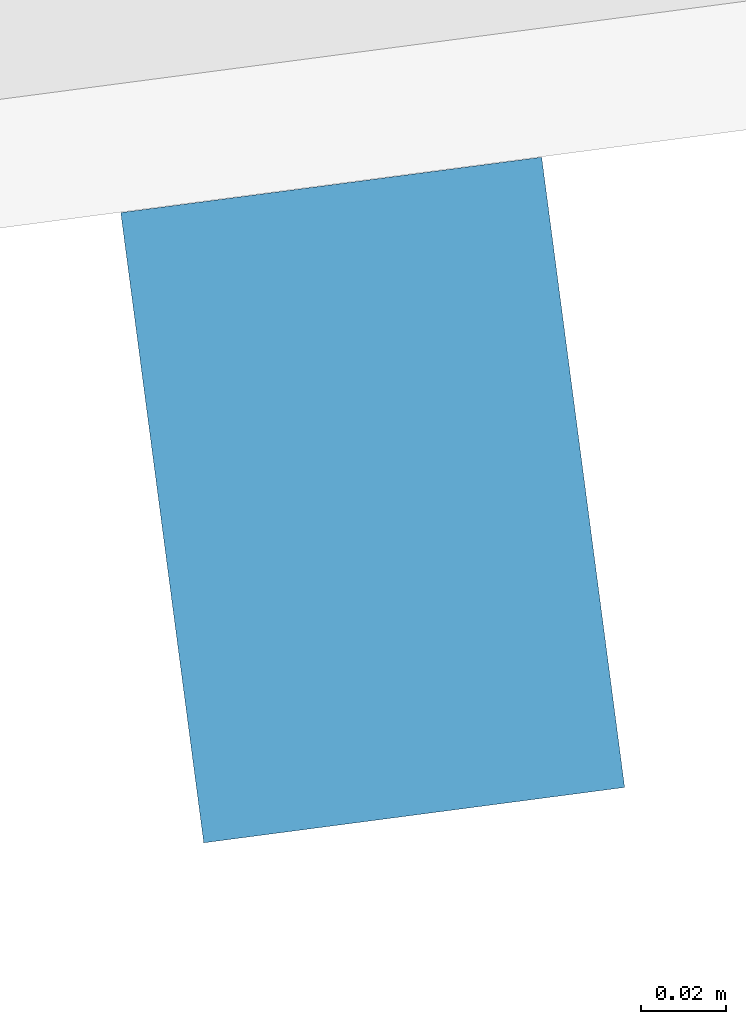
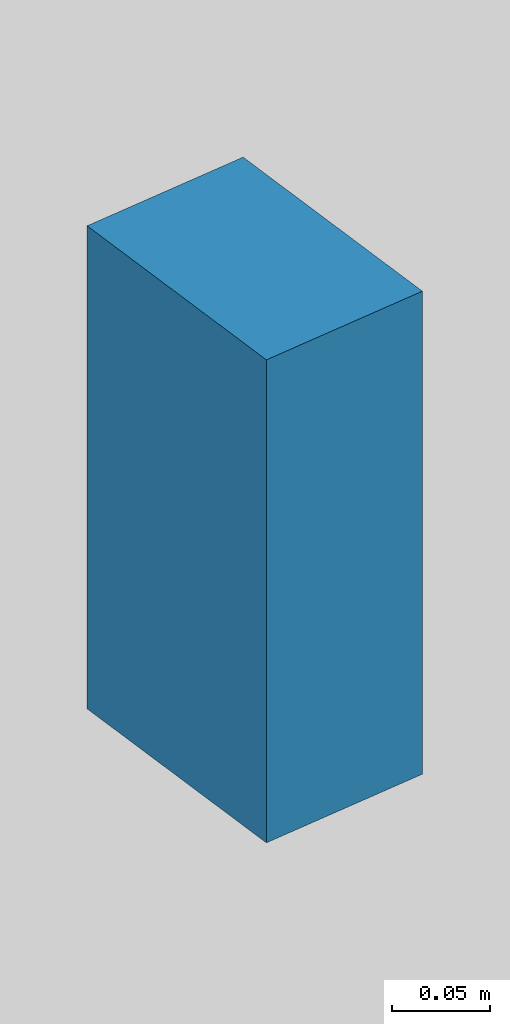
# One storey, part 10 of 31: 1 discrete accessory.
"""IFC4 building model written with IfcOpenShell, lengths in metres."""

import ifcopenshell
import ifcopenshell.guid

model = None  # the IFC model being written
_history = None  # IfcOwnerHistory: only IFC2X3 demands one
_inside = {}  # id of a spatial element -> (the spatial element, [elements in it])
_under = {}  # id of a project, library or spatial element -> (it, [spatial elements below it])
_declared = {}  # id of a project -> (the project, [libraries it declares])
_typed = {}  # id of a type object -> (the type object, [elements of that type])
_made_of = {}  # id of a material, layer set ... -> (it, [elements and type objects made of it])


def new_model(schema):
    """Start an empty IFC model of exactly this schema.

    Asked for "IFC4X3", IfcOpenShell would pick the latest addendum, in which some entities
    have other attributes; the version numbers below select the first issue.
    IFC2X3 requires an IfcOwnerHistory on every rooted entity: one is made here for all.
    """
    global model, _history
    if schema == "IFC4X3":
        model = ifcopenshell.file(schema_version=(4, 3, 0, 0))
    else:
        model = ifcopenshell.file(schema=schema)
    _inside.clear()
    _under.clear()
    _declared.clear()
    _typed.clear()
    _made_of.clear()
    _history = None
    if model.schema == "IFC2X3":
        org = make("IfcOrganization", Name="unknown")
        user = make(
            "IfcPersonAndOrganization",
            ThePerson=make("IfcPerson", FamilyName="unknown"),
            TheOrganization=org,
        )
        app = make(
            "IfcApplication",
            ApplicationDeveloper=org,
            Version="unknown",
            ApplicationFullName="unknown",
            ApplicationIdentifier="unknown",
        )
        _history = make(
            "IfcOwnerHistory",
            OwningUser=user,
            OwningApplication=app,
            ChangeAction="ADDED",
            CreationDate=0,
        )
    return model


def make(cls, **values):
    """One entity of the class cls with the attributes given. An attribute that is None is left unset."""
    return model.create_entity(
        cls, **{name: value for name, value in values.items() if value is not None}
    )


def rooted(cls, **values):
    """An entity with a GlobalId (a new one), such as an element, a storey or a relation."""
    return make(cls, GlobalId=ifcopenshell.guid.new(), OwnerHistory=_history, **values)


def si_unit(unit_type, name, prefix=None):
    """IfcSIUnit, for example si_unit("LENGTHUNIT", "METRE", prefix="MILLI")."""
    return make("IfcSIUnit", UnitType=unit_type, Prefix=prefix, Name=name)


def assignment(units):
    """IfcUnitAssignment: the units of a project."""
    return None if units is None else make("IfcUnitAssignment", Units=units)


def point(xyz):
    """IfcCartesianPoint."""
    return None if xyz is None else make("IfcCartesianPoint", Coordinates=xyz)


def direction(xyz):
    """IfcDirection."""
    return None if xyz is None else make("IfcDirection", DirectionRatios=xyz)


def frame(location, z_axis=None, x_axis=None):
    """IfcAxis2Placement3D, a coordinate frame: its origin and axes. An axis left out is left unset."""
    return make(
        "IfcAxis2Placement3D",
        Location=point(location),
        Axis=direction(z_axis),
        RefDirection=direction(x_axis),
    )


def frame_2d(location, x_axis=None):
    """IfcAxis2Placement2D, a coordinate frame in the plane: its origin and x axis."""
    return make(
        "IfcAxis2Placement2D", Location=point(location), RefDirection=direction(x_axis)
    )


def origin():
    """The frame at (0, 0, 0) with its axes left unset."""
    return frame((0.0, 0.0, 0.0))


def origin_2d():
    """The frame at (0, 0) in the plane with its x axis left unset."""
    return frame_2d((0.0, 0.0))


def place(relative_to, where):
    """IfcLocalPlacement: puts the frame where relative to a parent placement (None: the world)."""
    return make(
        "IfcLocalPlacement", PlacementRelTo=relative_to, RelativePlacement=where
    )


def context(
    kind, dimensions, precision=None, world=None, true_north=None, identifier=None
):
    """IfcGeometricRepresentationContext, for example the 3D "Model" context."""
    return make(
        "IfcGeometricRepresentationContext",
        ContextIdentifier=identifier,
        ContextType=kind,
        CoordinateSpaceDimension=dimensions,
        Precision=precision,
        WorldCoordinateSystem=world,
        TrueNorth=true_north,
    )


def subcontext(parent, identifier, kind, view, scale=None):
    """IfcGeometricRepresentationSubContext, for example "Body" below "Model"."""
    return make(
        "IfcGeometricRepresentationSubContext",
        ContextIdentifier=identifier,
        ContextType=kind,
        ParentContext=parent,
        TargetScale=scale,
        TargetView=view,
    )


def project(units=None, contexts=None):
    """IfcProject with its units and contexts."""
    return rooted(
        "IfcProject",
        Name="project",
        RepresentationContexts=contexts,
        UnitsInContext=assignment(units),
    )


def spatial(cls, under=None, at=None, **own):
    """A site, building, storey or space (cls), placed at a placement, below another one or the project."""
    s = rooted(cls, ObjectPlacement=at, **own)
    if under is not None:
        _under.setdefault(under.id(), (under, []))[1].append(s)
    return s


def profile(cls, at=None, kind="AREA", **sizes):
    """A parametric profile (cls). Its sizes go by their IFC names, for example OverallWidth=200.0."""
    return make(cls, ProfileType=kind, Position=at, **sizes)


def rectangle(**sizes):
    """IfcRectangleProfileDef."""
    return profile("IfcRectangleProfileDef", **sizes)


def extrude(swept, where, along, depth):
    """IfcExtrudedAreaSolid: the profile swept, set in the frame where, extruded along a direction by depth."""
    return make(
        "IfcExtrudedAreaSolid",
        SweptArea=swept,
        Position=where,
        ExtrudedDirection=direction(along),
        Depth=depth,
    )


def shape(context_of_items, identifier, shape_type, items):
    """IfcShapeRepresentation: the items that make up one representation, for example the "Body"."""
    return make(
        "IfcShapeRepresentation",
        ContextOfItems=context_of_items,
        RepresentationIdentifier=identifier,
        RepresentationType=shape_type,
        Items=items,
    )


def material(Name=None, Category=None):
    """IfcMaterial."""
    return make("IfcMaterial", Name=Name, Category=Category)


def made_of(thing, what):
    """Note that an element or type object is made of a material, layer set ...; save() writes the relation."""
    if what is not None:
        _made_of.setdefault(what.id(), (what, []))[1].append(thing)
    return thing


def type_object(cls, material=None, **own):
    """A type object (cls), such as IfcWallType, which elements share."""
    return made_of(rooted(cls, **own), material)


def element(
    cls,
    number,
    at=None,
    inside=None,
    cuts=None,
    type_object=None,
    material=None,
    context=None,
    identifier="Body",
    shape_type=None,
    held_by="IfcProductDefinitionShape",
    body=None,
    shapes=None,
    **own,
):
    """One element of the class cls, such as IfcWall. Its Tag is "e" and its number.

    at: its placement. inside: the storey or other place that contains it. cuts: it is an
    opening in that element (IfcRelVoidsElement). A single representation is given by context,
    identifier, shape_type and body (its items); several are given by shapes. held_by: the class
    of the entity that holds the representations. save() writes the other relations.
    """
    e = rooted(cls, Tag="e%d" % number, ObjectPlacement=at, **own)
    if body is not None:
        shapes = [shape(context, identifier, shape_type, body)]
    if shapes is not None:
        e.Representation = make(held_by, Representations=shapes)
    if inside is not None:
        _inside.setdefault(inside.id(), (inside, []))[1].append(e)
    if cuts is not None:
        rooted(
            "IfcRelVoidsElement", RelatingBuildingElement=cuts, RelatedOpeningElement=e
        )
    if type_object is not None:
        _typed.setdefault(type_object.id(), (type_object, []))[1].append(e)
    return made_of(e, material)


def aggregate(whole, parts):
    """IfcRelAggregates: a whole, such as a stair, and the parts it consists of."""
    return rooted("IfcRelAggregates", RelatingObject=whole, RelatedObjects=parts)


def save(model, path):
    """Write the relations noted so far, then the file.

    IfcRelAggregates (storeys below a building ...), IfcRelContainedInSpatialStructure (elements
    in a storey), IfcRelDefinesByType, IfcRelAssociatesMaterial and IfcRelDeclares: one each for
    every whole, place, type object, material and project.
    """
    for whole, parts in _under.values():
        aggregate(whole, parts)
    for where, things in _inside.values():
        rooted(
            "IfcRelContainedInSpatialStructure",
            RelatedElements=things,
            RelatingStructure=where,
        )
    for kind, things in _typed.values():
        rooted("IfcRelDefinesByType", RelatedObjects=things, RelatingType=kind)
    for what, things in _made_of.values():
        rooted("IfcRelAssociatesMaterial", RelatedObjects=things, RelatingMaterial=what)
    for by, libraries in _declared.values():
        rooted("IfcRelDeclares", RelatingContext=by, RelatedDefinitions=libraries)
    model.write(path)


model = new_model("IFC4")

# Units and contexts
model_context = context("Model", 3, precision=1e-05, world=origin(), true_north=direction((0.0, 1.0)))
body_context = subcontext(model_context, "Body", "Model", "MODEL_VIEW")
ifc_project = project(units=[si_unit("LENGTHUNIT", "METRE"), si_unit("AREAUNIT", "SQUARE_METRE"), si_unit("VOLUMEUNIT", "CUBIC_METRE"), si_unit("PLANEANGLEUNIT", "RADIAN"), si_unit("MASSUNIT", "GRAM", prefix="KILO")], contexts=[model_context])

# Site, building, storey
site_placement = place(None, origin())
site = spatial("IfcSite", under=ifc_project, at=site_placement, CompositionType="ELEMENT")
building_placement = place(site_placement, origin())
building = spatial("IfcBuilding", under=site, at=building_placement, Name="Qamariyya Broadcast Tower", CompositionType="ELEMENT")
storey_placement = place(building_placement, frame((0.0, 0.0, 74.699951171875)))
storey = spatial("IfcBuildingStorey", under=building, at=storey_placement, Name="L15", CompositionType="ELEMENT", Elevation=74.699951171875)

# Discrete accessory
ifc_material = material(Name="Stainless steel 316", Category="steel")
discrete_accessory_type = type_object("IfcDiscreteAccessoryType", Name="Slab edge fixing angle, stainless steel", PredefinedType="BRACKET", material=ifc_material)
discrete_accessory_placement = place(storey_placement, frame((14.257568359375, -78.364013671875, 3.2998046875), z_axis=(0.0, 0.0, 1.0), x_axis=(0.991444861374, 0.13052619222, 0.0)))
element("IfcDiscreteAccessory", 1, at=discrete_accessory_placement, inside=storey, type_object=discrete_accessory_type, Name="e-br-L15-09-0", PredefinedType="BRACKET", context=body_context, shape_type="SweptSolid", body=[
    extrude(rectangle(XDim=0.10009765625, YDim=0.14990234375, at=origin_2d()), origin(), (0.0, 0.0, 1.0), 0.300048828125),
])

save(model, "model.ifc")
